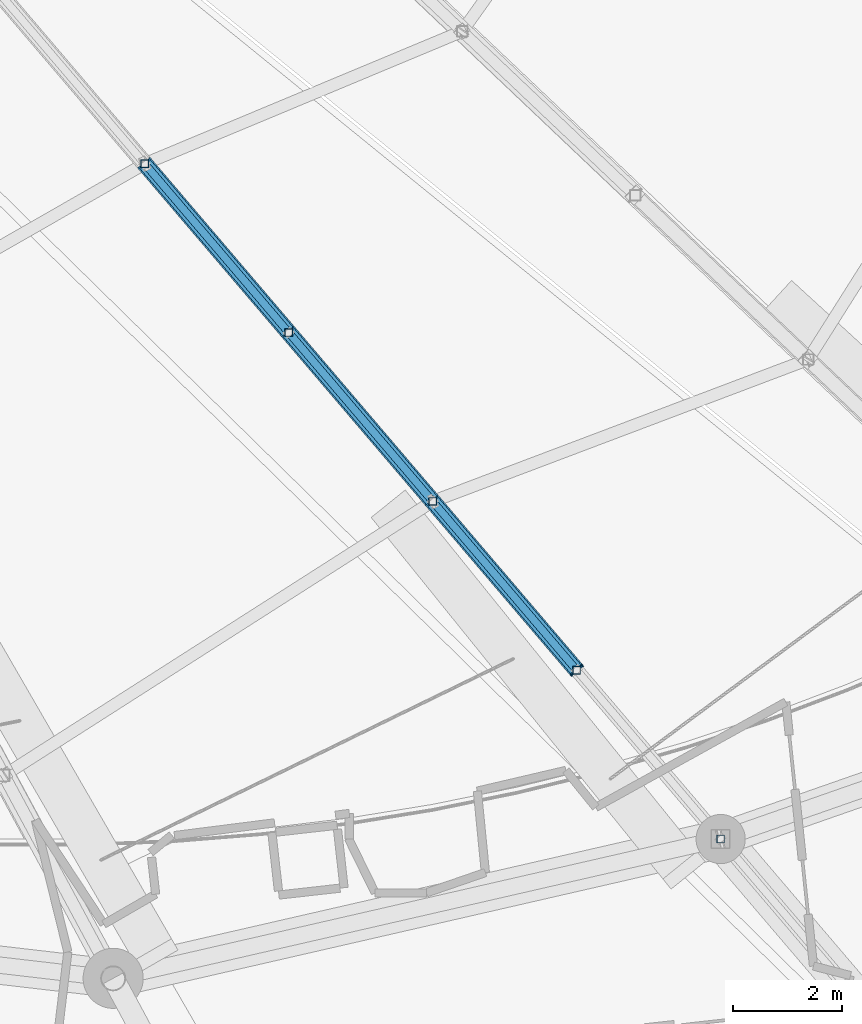
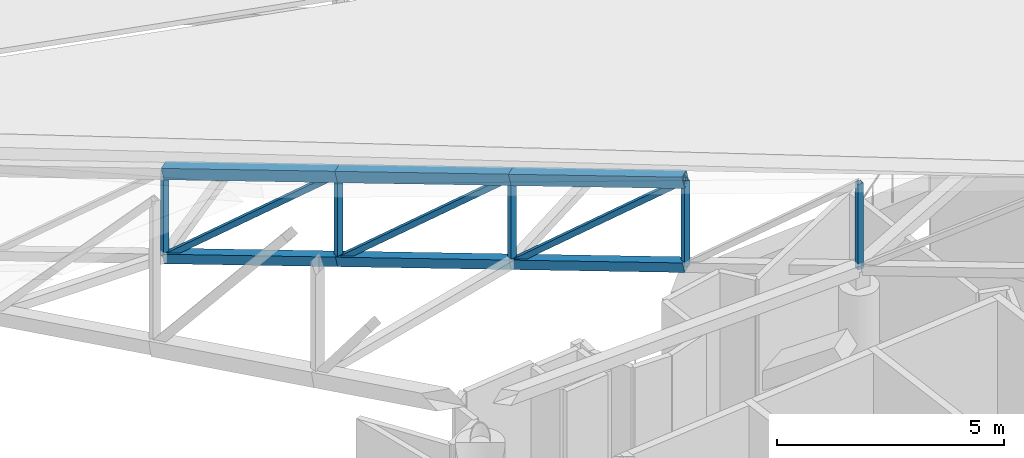
# One storey, part 76 of 344: 14 members.
"""IFC4 building model written with IfcOpenShell, lengths in metres."""

from ifc_helpers import new_model, si_unit, direction, frame, origin, origin_2d, place, context, subcontext, project, spatial, hollow_rectangle, extrude, material, material_profile, profile_set, type_object, element, save


model = new_model("IFC4")

# Units and contexts
model_context = context("Model", 3, precision=1e-05, world=origin(), true_north=direction((0.0, 1.0)))
body_context = subcontext(model_context, "Body", "Model", "MODEL_VIEW")
ifc_project = project(units=[si_unit("LENGTHUNIT", "METRE"), si_unit("AREAUNIT", "SQUARE_METRE"), si_unit("VOLUMEUNIT", "CUBIC_METRE"), si_unit("PLANEANGLEUNIT", "RADIAN"), si_unit("MASSUNIT", "GRAM", prefix="KILO")], contexts=[model_context])

# Site, building, storey
site_placement = place(None, origin())
site = spatial("IfcSite", under=ifc_project, at=site_placement, CompositionType="ELEMENT")
building_placement = place(site_placement, origin())
building = spatial("IfcBuilding", under=site, at=building_placement, Name="Meseta Stadium", CompositionType="ELEMENT")
storey_placement = place(building_placement, frame((0.0, 0.0, 24.0)))
storey = spatial("IfcBuildingStorey", under=building, at=storey_placement, Name="L04", CompositionType="ELEMENT", Elevation=24.0)

# Members
ifc_material_1 = material(Name="Steel S355", Category="steel")
ifc_material_profile_1 = material_profile(ifc_material_1, hollow_rectangle(XDim=0.139892578125, YDim=0.139892578125, WallThickness=0.0048828125, at=origin_2d()), Name="SHS 140x140x5")
ifc_profile_set_1 = profile_set([ifc_material_profile_1], Name="Steel S355")
member_type_1 = type_object("IfcMemberType", Name="SHS 140x140x5 diagonal", PredefinedType="BRACE", material=ifc_profile_set_1)
for number, where, z_axis, x_axis, name in (
    (1, (45.260986328125, -76.1845703125, 1.756103515625), (0.511304997159, -0.599578670563, 0.615688734416), (0.760896819388, 0.64887289221, 0.0), "ROOF TRUSS RT-51 diagonal"),
    (2, (47.8955078125, -79.27392578125, 2.62841796875), (0.511339599625, -0.599516304119, 0.615720728051), (0.760841810831, 0.64893739212, 0.0), "ROOF TRUSS RT-51 diagonal"),
    (3, (50.5302734375, -82.363037109375, 3.5009765625), (0.511304997159, -0.599578670563, 0.615688734416), (0.760896819388, 0.64887289221, 0.0), "ROOF TRUSS RT-51 diagonal"),
):
    element("IfcMember", number, at=place(storey_placement, frame(where, z_axis=z_axis, x_axis=x_axis)), inside=storey, type_object=member_type_1, Name=name, PredefinedType="BRACE", context=body_context, shape_type="SweptSolid", body=[
        extrude(hollow_rectangle(XDim=0.139892578125, YDim=0.139892578125, WallThickness=0.0048828125, at=origin_2d()), origin(), (0.0, 0.0, 1.0), 5.152587890625),
    ])
ifc_material_2 = material(Name="Steel S355", Category="steel")
ifc_material_profile_2 = material_profile(ifc_material_2, hollow_rectangle(XDim=0.139892578125, YDim=0.139892578125, WallThickness=0.0048828125, at=origin_2d()), Name="SHS 140x140x5")
ifc_profile_set_2 = profile_set([ifc_material_profile_2], Name="Steel S355")
member_type_2 = type_object("IfcMemberType", Name="SHS 140x140x5 post", PredefinedType="POST", material=ifc_profile_set_2)
for number, where, z_axis, x_axis, name in (
    (4, (45.260986328125, -76.1845703125, 1.756103515625), (0.0, 0.0, 1.0), (1.0, 0.0, 0.0), "ROOF TRUSS RT-51 post"),
    (5, (47.8955078125, -79.27392578125, 2.62841796875), (0.0, 0.0, 1.0), (1.0, 0.0, 0.0), "ROOF TRUSS RT-51 post"),
    (6, (50.5302734375, -82.363037109375, 3.5009765625), (0.0, 0.0, 1.0), (1.0, 0.0, 0.0), "ROOF TRUSS RT-51 post"),
    (7, (53.164794921875, -85.452392578125, 4.373291015625), (0.0, 0.0, 1.0), (1.0, 0.0, 0.0), "ROOF TRUSS RT-51 post"),
    (8, (55.799560546875, -88.541748046875, 5.24560546875), (0.0, 0.0, 1.0), (1.0, 0.0, 0.0), "ROOF TRUSS RT-51 post"),
):
    element("IfcMember", number, at=place(storey_placement, frame(where, z_axis=z_axis, x_axis=x_axis)), inside=storey, type_object=member_type_2, Name=name, PredefinedType="POST", context=body_context, shape_type="SweptSolid", body=[
        extrude(hollow_rectangle(XDim=0.139892578125, YDim=0.139892578125, WallThickness=0.0048828125, at=origin_2d()), origin(), (0.0, 0.0, 1.0), 2.300048828125),
    ])
ifc_material_3 = material(Name="Steel S355", Category="steel")
ifc_material_profile_3 = material_profile(ifc_material_3, hollow_rectangle(XDim=0.25, YDim=0.25, WallThickness=0.010009765625, at=origin_2d()), Name="SHS 250x250x10")
ifc_profile_set_3 = profile_set([ifc_material_profile_3], Name="Steel S355")
member_type_3 = type_object("IfcMemberType", Name="SHS 250x250x10 bottom chord", PredefinedType="CHORD", material=ifc_profile_set_3)
for number, where, z_axis, x_axis, name in (
    (9, (45.260986328125, -76.1845703125, 1.756103515625), (0.634396329544, -0.743920966922, 0.210054497772), (0.760896819388, 0.64887289221, 0.0), "ROOF TRUSS RT-51 bottom chord"),
    (10, (47.8955078125, -79.27392578125, 2.62841796875), (0.634451365994, -0.743857777421, 0.210112044298), (0.760841810831, 0.64893739212, 0.0), "ROOF TRUSS RT-51 bottom chord"),
    (11, (50.5302734375, -82.363037109375, 3.5009765625), (0.634396329544, -0.743920966922, 0.210054497772), (0.760896819388, 0.64887289221, 0.0), "ROOF TRUSS RT-51 bottom chord"),
):
    element("IfcMember", number, at=place(storey_placement, frame(where, z_axis=z_axis, x_axis=x_axis)), inside=storey, type_object=member_type_3, Name=name, PredefinedType="CHORD", context=body_context, shape_type="SweptSolid", body=[
        extrude(hollow_rectangle(XDim=0.25, YDim=0.25, WallThickness=0.010009765625, at=origin_2d()), origin(), (0.0, 0.0, 1.0), 4.15283203125),
    ])
ifc_material_4 = material(Name="Steel S355", Category="steel")
ifc_material_profile_4 = material_profile(ifc_material_4, hollow_rectangle(XDim=0.300048828125, YDim=0.300048828125, WallThickness=0.010009765625, at=origin_2d()), Name="SHS 300x300x10")
ifc_profile_set_4 = profile_set([ifc_material_profile_4], Name="Steel S355")
member_type_4 = type_object("IfcMemberType", Name="SHS 300x300x10 top chord", PredefinedType="CHORD", material=ifc_profile_set_4)
for number, where, z_axis, x_axis, name in (
    (12, (45.260986328125, -76.1845703125, 4.05615234375), (0.634396329544, -0.743920966922, 0.210054497772), (0.760896819388, 0.64887289221, 0.0), "ROOF TRUSS RT-51 top chord"),
    (13, (47.8955078125, -79.27392578125, 4.928466796875), (0.634451365994, -0.743857777421, 0.210112044298), (0.760841810831, 0.64893739212, 0.0), "ROOF TRUSS RT-51 top chord"),
    (14, (50.5302734375, -82.363037109375, 5.801025390625), (0.634396329544, -0.743920966922, 0.210054497772), (0.760896819388, 0.64887289221, 0.0), "ROOF TRUSS RT-51 top chord"),
):
    element("IfcMember", number, at=place(storey_placement, frame(where, z_axis=z_axis, x_axis=x_axis)), inside=storey, type_object=member_type_4, Name=name, PredefinedType="CHORD", context=body_context, shape_type="SweptSolid", body=[
        extrude(hollow_rectangle(XDim=0.300048828125, YDim=0.300048828125, WallThickness=0.010009765625, at=origin_2d()), origin(), (0.0, 0.0, 1.0), 4.15283203125),
    ])

save(model, "model.ifc")
